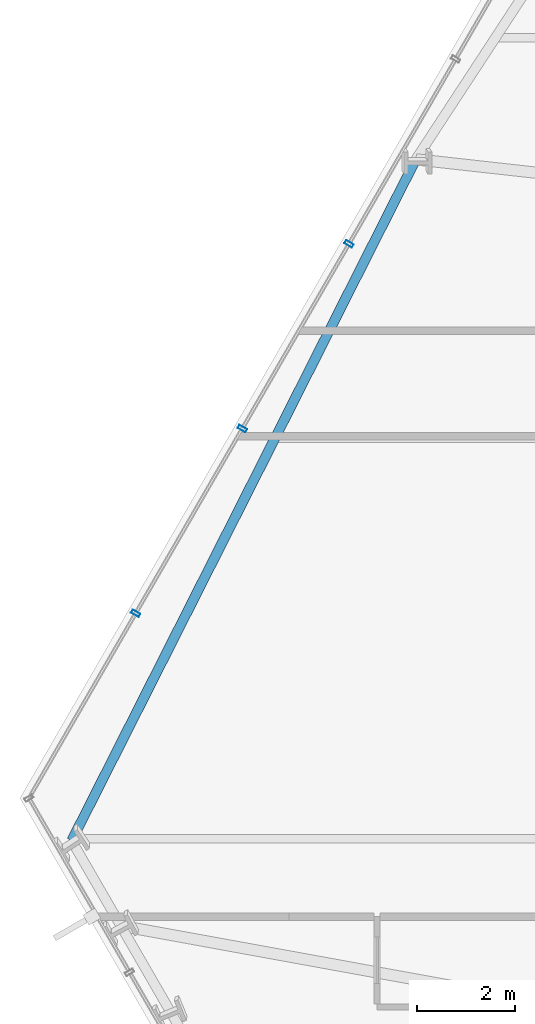
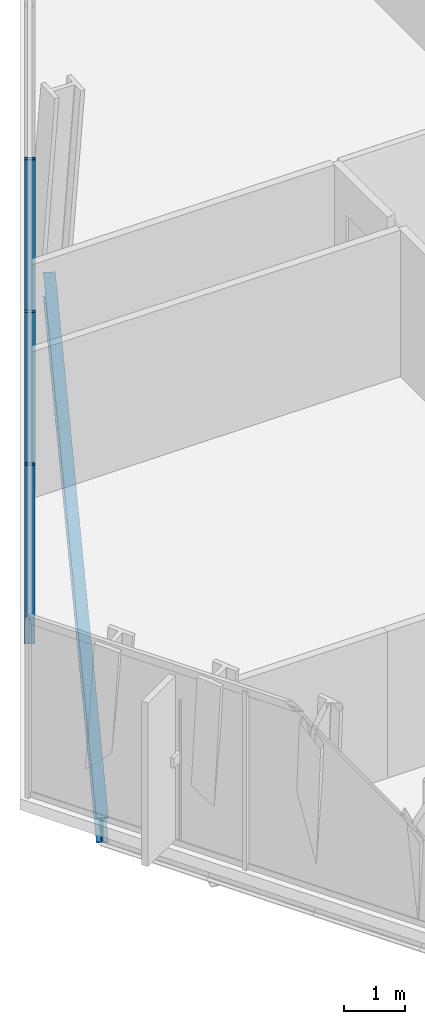
# One storey, part 10 of 33: 3 members, 1 beam, 1 element without a shape of its own.
"""IFC4 building model written with IfcOpenShell, lengths in metres."""

from ifc_helpers import new_model, si_unit, direction, frame, origin, origin_2d, place, context, subcontext, project, spatial, hollow_rectangle, i_section, extrude, material, layer, layer_set, material_profile, profile_set, type_object, element, aggregate, save


model = new_model("IFC4")

# Units and contexts
model_context = context("Model", 3, precision=1e-05, world=origin(), true_north=direction((0.0, 1.0)))
body_context = subcontext(model_context, "Body", "Model", "MODEL_VIEW")
ifc_project = project(units=[si_unit("LENGTHUNIT", "METRE"), si_unit("AREAUNIT", "SQUARE_METRE"), si_unit("VOLUMEUNIT", "CUBIC_METRE"), si_unit("PLANEANGLEUNIT", "RADIAN"), si_unit("MASSUNIT", "GRAM", prefix="KILO")], contexts=[model_context])

# Site, building, storey
site_placement = place(None, origin())
site = spatial("IfcSite", under=ifc_project, at=site_placement, CompositionType="ELEMENT")
building_placement = place(site_placement, origin())
building = spatial("IfcBuilding", under=site, at=building_placement, Name="Ndaravel Arena Tower", CompositionType="ELEMENT")
storey_placement = place(building_placement, frame((0.0, 0.0, 43.60009765625)))
storey = spatial("IfcBuildingStorey", under=building, at=storey_placement, Name="L08", CompositionType="ELEMENT", Elevation=43.60009765625)

# Beam
ifc_material_1 = material(Name="Steel S355", Category="steel")
ifc_material_profile_1 = material_profile(ifc_material_1, i_section(OverallWidth=0.199951171875, OverallDepth=0.5, WebThickness=0.01025390625, FlangeThickness=0.01611328125, FilletRadius=0.02099609375, at=origin_2d()), Name="IPE 500")
ifc_profile_set_1 = profile_set([ifc_material_profile_1], Name="Steel S355")
beam_type = type_object("IfcBeamType", Name="BM-SPAN-IPE500", PredefinedType="SPANDREL", material=ifc_profile_set_1)
beam_placement = place(storey_placement, frame((26.394287109375, 32.510009765625, -0.47021484375), z_axis=(-0.450914536682, -0.892567129469, 0.0), x_axis=(0.892567129469, -0.450914536682, 0.0)))
element("IfcBeam", 1, at=beam_placement, inside=storey, type_object=beam_type, Name="L08 Perimeter Spandrel Beam SP-19", PredefinedType="SPANDREL", context=body_context, shape_type="SweptSolid", body=[
    extrude(i_section(OverallWidth=0.199951171875, OverallDepth=0.5, WebThickness=0.01025390625, FlangeThickness=0.01611328125, FilletRadius=0.02099609375, at=origin_2d()), origin(), (0.0, 0.0, 1.0), 15.631103515625),
])

# Curtain wall, members
ifc_material_2 = material(Name="Aluminium", Category="aluminium")
ifc_layer = layer(ifc_material_2, 0.179931640625)
ifc_layer_set = layer_set([ifc_layer], Name="Aluminium")
curtain_wall_type = type_object("IfcCurtainWallType", Name="CW-SYS-03", PredefinedType="NOTDEFINED", material=ifc_layer_set)
curtain_wall_placement = place(storey_placement, origin())
curtain_wall = element("IfcCurtainWall", 2, at=curtain_wall_placement, inside=storey, type_object=curtain_wall_type, Name="L08 Faceted Crystal Curtain Wall CW-L08-E05", PredefinedType="NOTDEFINED")
ifc_material_3 = material(Name="Aluminium", Category="aluminium")
ifc_material_profile_2 = material_profile(ifc_material_3, hollow_rectangle(XDim=0.074951171875, YDim=0.179931640625, WallThickness=0.00390625, at=origin_2d()), Name="CW MULLION 75x180x4")
ifc_profile_set_2 = profile_set([ifc_material_profile_2], Name="Aluminium")
member_type = type_object("IfcMemberType", Name="MEM-CW-MUL180", PredefinedType="MULLION", material=ifc_profile_set_2)
member_1_placement = place(storey_placement, frame((25.025146484375, 30.778564453125, 0.0), z_axis=(0.0, 0.0, 1.0), x_axis=(-0.5, -0.866025403784, 0.0)))
member_1 = element("IfcMember", 3, at=member_1_placement, type_object=member_type, Name="CW-L08-E05 Mullion 04", PredefinedType="MULLION", context=body_context, shape_type="SweptSolid", body=[
    extrude(hollow_rectangle(XDim=0.074951171875, YDim=0.179931640625, WallThickness=0.00390625, at=origin_2d()), origin(), (0.0, 0.0, 1.0), 3.579833984375),
])
member_2_placement = place(storey_placement, frame((22.841064453125, 26.99560546875, 0.0), z_axis=(0.0, 0.0, 1.0), x_axis=(-0.5, -0.866025403784, 0.0)))
member_2 = element("IfcMember", 4, at=member_2_placement, type_object=member_type, Name="CW-L08-E05 Mullion 05", PredefinedType="MULLION", context=body_context, shape_type="SweptSolid", body=[
    extrude(hollow_rectangle(XDim=0.074951171875, YDim=0.179931640625, WallThickness=0.00390625, at=origin_2d()), origin(), (0.0, 0.0, 1.0), 3.579833984375),
])
member_3_placement = place(storey_placement, frame((20.656982421875, 23.212890625, 0.0), z_axis=(0.0, 0.0, 1.0), x_axis=(-0.5, -0.866025403784, 0.0)))
member_3 = element("IfcMember", 5, at=member_3_placement, type_object=member_type, Name="CW-L08-E05 Mullion 06", PredefinedType="MULLION", context=body_context, shape_type="SweptSolid", body=[
    extrude(hollow_rectangle(XDim=0.074951171875, YDim=0.179931640625, WallThickness=0.00390625, at=origin_2d()), origin(), (0.0, 0.0, 1.0), 3.579833984375),
])
aggregate(curtain_wall, [member_1, member_2, member_3])

save(model, "model.ifc")
